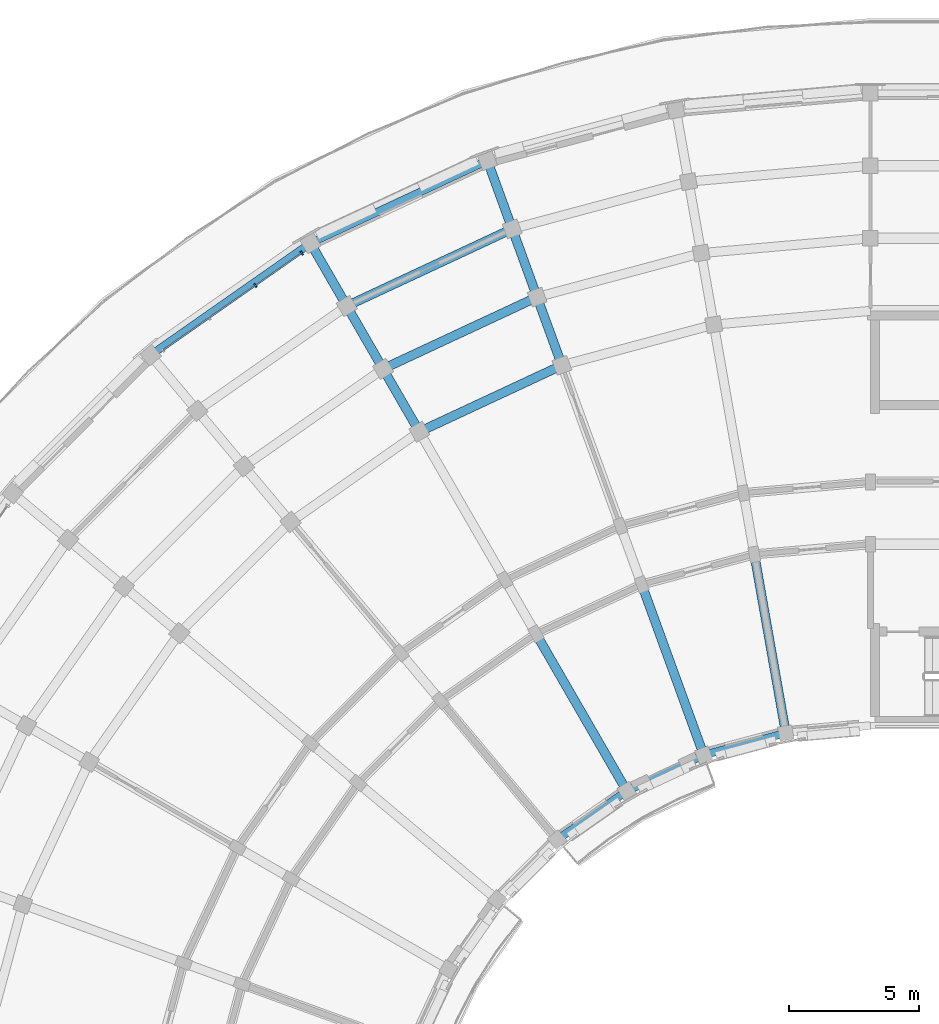
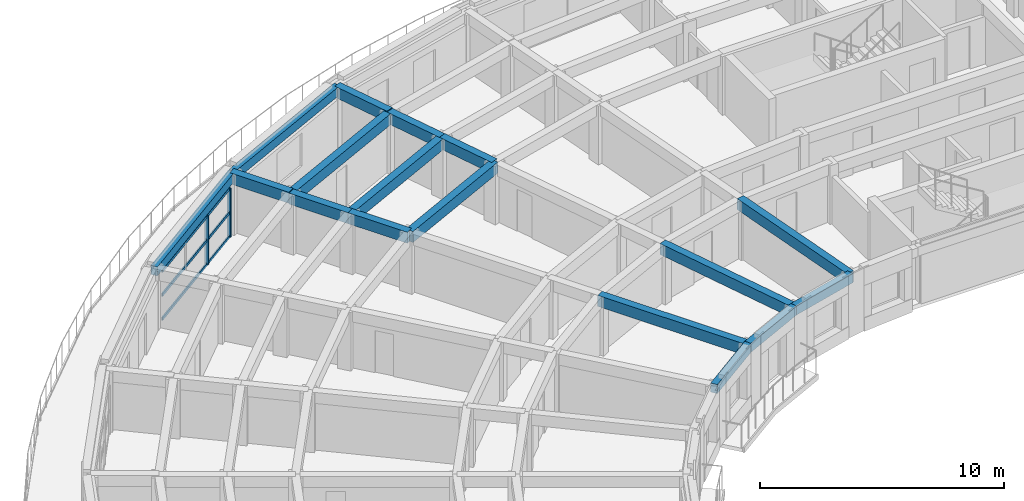
# One storey, part 5 of 32: 17 beams, 5 members, 1 element without a shape of its own.
"""IFC4 building model written with IfcOpenShell, lengths in metres."""

from ifc_helpers import new_model, si_unit, direction, frame, origin, origin_2d, place, context, subcontext, project, spatial, rectangle, extrude, material, material_profile, profile_set, type_object, element, aggregate, save


model = new_model("IFC4")

# Units and contexts
model_context = context("Model", 3, precision=1e-05, world=origin(), true_north=direction((0.0, 1.0)))
body_context = subcontext(model_context, "Body", "Model", "MODEL_VIEW")
ifc_project = project(units=[si_unit("LENGTHUNIT", "METRE"), si_unit("AREAUNIT", "SQUARE_METRE"), si_unit("VOLUMEUNIT", "CUBIC_METRE"), si_unit("PLANEANGLEUNIT", "RADIAN"), si_unit("MASSUNIT", "GRAM", prefix="KILO")], contexts=[model_context])

# Site, building, storey
site_placement = place(None, origin())
site = spatial("IfcSite", under=ifc_project, at=site_placement, CompositionType="ELEMENT")
building_placement = place(site_placement, origin())
building = spatial("IfcBuilding", under=site, at=building_placement, Name="Kiranvali Square Residences", CompositionType="ELEMENT")
storey_placement = place(building_placement, frame((0.0, 0.0, 40.199951171875)))
storey = spatial("IfcBuildingStorey", under=building, at=storey_placement, Name="L12", CompositionType="ELEMENT", Elevation=40.199951171875)

# Beams
ifc_material_1 = material(Name="Concrete M40 (40 MPa)", Category="concrete")
ifc_material_profile_1 = material_profile(ifc_material_1, rectangle(XDim=0.35009765625, YDim=0.550048828125, at=origin_2d()), Name="RC 350x550")
ifc_profile_set_1 = profile_set([ifc_material_profile_1], Name="Concrete M40 (40 MPa)")
beam_type_1 = type_object("IfcBeamType", Name="BM-M40-350x550", PredefinedType="BEAM", material=ifc_profile_set_1)
beam_1_placement = place(storey_placement, frame((36.297607421875, 120.501220703125, 2.655029296875), z_axis=(-0.906312656069, -0.42260781991, 0.0), x_axis=(0.42260781991, -0.906312656069, 0.0)))
element("IfcBeam", 1, at=beam_1_placement, inside=storey, type_object=beam_type_1, Name="L12 beam BM-A-L12-C02-R3", PredefinedType="BEAM", context=body_context, shape_type="SweptSolid", body=[
    extrude(rectangle(XDim=0.35009765625, YDim=0.550048828125, at=origin_2d()), origin(), (0.0, 0.0, 1.0), 6.06591796875),
])
beam_2_placement = place(storey_placement, frame((35.340087890625, 123.13232421875, 2.655029296875), z_axis=(-0.906318225223, -0.422595876255, 0.0), x_axis=(0.422595876255, -0.906318225223, 0.0)))
element("IfcBeam", 2, at=beam_2_placement, inside=storey, type_object=beam_type_1, Name="L12 beam BM-A-L12-C02-R4", PredefinedType="BEAM", context=body_context, shape_type="SweptSolid", body=[
    extrude(rectangle(XDim=0.35009765625, YDim=0.550048828125, at=origin_2d()), origin(), (0.0, 0.0, 1.0), 6.55419921875),
])
beam_3_placement = place(storey_placement, frame((34.38232421875, 125.763671875, 2.655029296875), z_axis=(-0.906297360311, -0.422640621205, 0.0), x_axis=(0.422640621205, -0.906297360311, 0.0)))
element("IfcBeam", 3, at=beam_3_placement, inside=storey, type_object=beam_type_1, Name="L12 beam BM-A-L12-C02-R5", PredefinedType="BEAM", context=body_context, shape_type="SweptSolid", body=[
    extrude(rectangle(XDim=0.35009765625, YDim=0.550048828125, at=origin_2d()), origin(), (0.0, 0.0, 1.0), 7.042236328125),
])
beam_4_placement = place(storey_placement, frame((44.935302734375, 106.314453125, 2.655029296875), z_axis=(-0.173622177865, 0.984812337125, 0.0), x_axis=(-0.984812337125, -0.173622177865, 0.0)))
element("IfcBeam", 4, at=beam_4_placement, inside=storey, type_object=beam_type_1, Name="L12 beam BM-A-L12-RAD01-01", PredefinedType="BEAM", context=body_context, shape_type="SweptSolid", body=[
    extrude(rectangle(XDim=0.35009765625, YDim=0.550048828125, at=origin_2d()), origin(), (0.0, 0.0, 1.0), 6.999755859375),
])
beam_5_placement = place(storey_placement, frame((41.77001953125, 105.46630859375, 2.655029296875), z_axis=(-0.342006283793, 0.939697665127, 0.0), x_axis=(-0.939697665127, -0.342006283793, 0.0)))
element("IfcBeam", 5, at=beam_5_placement, inside=storey, type_object=beam_type_1, Name="L12 beam BM-A-L12-RAD02-01", PredefinedType="BEAM", context=body_context, shape_type="SweptSolid", body=[
    extrude(rectangle(XDim=0.35009765625, YDim=0.550048828125, at=origin_2d()), origin(), (0.0, 0.0, 1.0), 7.0),
])
beam_6_placement = place(storey_placement, frame((36.297607421875, 120.501220703125, 2.655029296875), z_axis=(-0.341981089711, 0.93970683422, 0.0), x_axis=(-0.93970683422, -0.341981089711, 0.0)))
element("IfcBeam", 6, at=beam_6_placement, inside=storey, type_object=beam_type_1, Name="L12 beam BM-A-L12-RAD02-34", PredefinedType="BEAM", context=body_context, shape_type="SweptSolid", body=[
    extrude(rectangle(XDim=0.35009765625, YDim=0.550048828125, at=origin_2d()), origin(), (0.0, 0.0, 1.0), 2.7998046875),
])
beam_7_placement = place(storey_placement, frame((35.340087890625, 123.13232421875, 2.655029296875), z_axis=(-0.342030060398, 0.939689011208, 0.0), x_axis=(-0.939689011208, -0.342030060398, 0.0)))
element("IfcBeam", 7, at=beam_7_placement, inside=storey, type_object=beam_type_1, Name="L12 beam BM-A-L12-RAD02-45", PredefinedType="BEAM", context=body_context, shape_type="SweptSolid", body=[
    extrude(rectangle(XDim=0.35009765625, YDim=0.550048828125, at=origin_2d()), origin(), (0.0, 0.0, 1.0), 2.80029296875),
])
beam_8_placement = place(storey_placement, frame((34.38232421875, 125.763671875, 2.695068359375), z_axis=(-0.341981089711, 0.93970683422, 0.0), x_axis=(-0.93970683422, -0.341981089711, 0.0)))
element("IfcBeam", 8, at=beam_8_placement, inside=storey, type_object=beam_type_1, Name="L12 beam BM-A-L12-RAD02-56", PredefinedType="BEAM", context=body_context, shape_type="SweptSolid", body=[
    extrude(rectangle(XDim=0.35009765625, YDim=0.550048828125, at=origin_2d()), origin(), (0.0, 0.0, 1.0), 2.7998046875),
])
beam_9_placement = place(storey_placement, frame((38.800048828125, 104.081298828125, 2.655029296875), z_axis=(-0.499995173006, 0.866028190633, 0.0), x_axis=(-0.866028190633, -0.499995173006, 0.0)))
element("IfcBeam", 9, at=beam_9_placement, inside=storey, type_object=beam_type_1, Name="L12 beam BM-A-L12-RAD03-01", PredefinedType="BEAM", context=body_context, shape_type="SweptSolid", body=[
    extrude(rectangle(XDim=0.35009765625, YDim=0.550048828125, at=origin_2d()), origin(), (0.0, 0.0, 1.0), 7.0),
])
beam_10_placement = place(storey_placement, frame((30.800048828125, 117.937744140625, 2.655029296875), z_axis=(-0.500049511043, 0.865996816683, 0.0), x_axis=(-0.865996816683, -0.500049511043, 0.0)))
element("IfcBeam", 10, at=beam_10_placement, inside=storey, type_object=beam_type_1, Name="L12 beam BM-A-L12-RAD03-34", PredefinedType="BEAM", context=body_context, shape_type="SweptSolid", body=[
    extrude(rectangle(XDim=0.35009765625, YDim=0.550048828125, at=origin_2d()), origin(), (0.0, 0.0, 1.0), 2.800048828125),
])
beam_11_placement = place(storey_placement, frame((29.39990234375, 120.362548828125, 2.655029296875), z_axis=(-0.49998411664, 0.866034573852, 0.0), x_axis=(-0.866034573852, -0.49998411664, 0.0)))
element("IfcBeam", 11, at=beam_11_placement, inside=storey, type_object=beam_type_1, Name="L12 beam BM-A-L12-RAD03-45", PredefinedType="BEAM", context=body_context, shape_type="SweptSolid", body=[
    extrude(rectangle(XDim=0.35009765625, YDim=0.550048828125, at=origin_2d()), origin(), (0.0, 0.0, 1.0), 2.7998046875),
])
beam_12_placement = place(storey_placement, frame((28.0, 122.787353515625, 2.695068359375), z_axis=(-0.49994636267, 0.866056369097, 0.0), x_axis=(-0.866056369097, -0.49994636267, 0.0)))
element("IfcBeam", 12, at=beam_12_placement, inside=storey, type_object=beam_type_1, Name="L12 beam BM-A-L12-RAD03-56", PredefinedType="BEAM", context=body_context, shape_type="SweptSolid", body=[
    extrude(rectangle(XDim=0.35009765625, YDim=0.550048828125, at=origin_2d()), origin(), (0.0, 0.0, 1.0), 2.800048828125),
])

# Curtain wall, members
ifc_material_2 = material(Name="Anodised bronze aluminium framing", Category="aluminium")
curtain_wall_type = type_object("IfcCurtainWallType", Name="CW-RES-LOG", PredefinedType="USERDEFINED", material=ifc_material_2)
curtain_wall_placement = place(storey_placement, origin())
curtain_wall = element("IfcCurtainWall", 13, at=curtain_wall_placement, inside=storey, type_object=curtain_wall_type, Name="Block A L12 stepped curved terrace loggia 4", ObjectType="CURTAIN WALL", PredefinedType="USERDEFINED")
ifc_material_profile_2 = material_profile(ifc_material_2, rectangle(XDim=0.06494140625, YDim=0.159912109375, at=origin_2d()), Name="ALU 65x160")
ifc_profile_set_2 = profile_set([ifc_material_profile_2], Name="Anodised bronze aluminium framing")
member_type_1 = type_object("IfcMemberType", Name="CW-MUL-160", PredefinedType="MULLION", material=ifc_profile_set_2)
member_1_placement = place(storey_placement, frame((26.25927734375, 124.8271484375, 0.02001953125), z_axis=(0.0, 0.0, 1.0), x_axis=(-0.819152044289, -0.573576436351, 0.0)))
member_1 = element("IfcMember", 14, at=member_1_placement, type_object=member_type_1, Name="CW-A-L12-TER-03 vertical mullion 1", PredefinedType="MULLION", context=body_context, shape_type="SweptSolid", body=[
    extrude(rectangle(XDim=0.06494140625, YDim=0.159912109375, at=origin_2d()), origin(), (0.0, 0.0, 1.0), 2.43994140625),
])
member_2_placement = place(storey_placement, frame((24.47607421875, 123.57861328125, 0.02001953125), z_axis=(0.0, 0.0, 1.0), x_axis=(-0.819152044289, -0.573576436351, 0.0)))
member_2 = element("IfcMember", 15, at=member_2_placement, type_object=member_type_1, Name="CW-A-L12-TER-03 vertical mullion 2", PredefinedType="MULLION", context=body_context, shape_type="SweptSolid", body=[
    extrude(rectangle(XDim=0.06494140625, YDim=0.159912109375, at=origin_2d()), origin(), (0.0, 0.0, 1.0), 2.43994140625),
])
ifc_material_profile_3 = material_profile(ifc_material_2, rectangle(XDim=0.06494140625, YDim=0.139892578125, at=origin_2d()), Name="ALU 65x140")
ifc_profile_set_3 = profile_set([ifc_material_profile_3], Name="Anodised bronze aluminium framing")
member_type_2 = type_object("IfcMemberType", Name="CW-TRN-140", PredefinedType="MULLION", material=ifc_profile_set_3)
member_3_placement = place(storey_placement, frame((26.2509765625, 124.821533203125, 0.0400390625), z_axis=(-0.819145582246, -0.573585664994, 0.0), x_axis=(0.573585664994, -0.819145582246, 0.0)))
member_3 = element("IfcMember", 16, at=member_3_placement, type_object=member_type_2, Name="CW-A-L12-TER-03 horizontal transom 1", PredefinedType="MULLION", context=body_context, shape_type="SweptSolid", body=[
    extrude(rectangle(XDim=0.06494140625, YDim=0.139892578125, at=origin_2d()), origin(), (0.0, 0.0, 1.0), 6.51025390625),
])
member_4_placement = place(storey_placement, frame((26.2509765625, 124.821533203125, 1.239990234375), z_axis=(-0.819145582246, -0.573585664994, 0.0), x_axis=(0.573585664994, -0.819145582246, 0.0)))
member_4 = element("IfcMember", 17, at=member_4_placement, type_object=member_type_2, Name="CW-A-L12-TER-03 horizontal transom 2", PredefinedType="MULLION", context=body_context, shape_type="SweptSolid", body=[
    extrude(rectangle(XDim=0.06494140625, YDim=0.139892578125, at=origin_2d()), origin(), (0.0, 0.0, 1.0), 6.51025390625),
])
member_5_placement = place(storey_placement, frame((26.2509765625, 124.821533203125, 2.43994140625), z_axis=(-0.819145582246, -0.573585664994, 0.0), x_axis=(0.573585664994, -0.819145582246, 0.0)))
member_5 = element("IfcMember", 18, at=member_5_placement, type_object=member_type_2, Name="CW-A-L12-TER-03 horizontal transom 3", PredefinedType="MULLION", context=body_context, shape_type="SweptSolid", body=[
    extrude(rectangle(XDim=0.06494140625, YDim=0.139892578125, at=origin_2d()), origin(), (0.0, 0.0, 1.0), 6.51025390625),
])
aggregate(curtain_wall, [member_1, member_2, member_3, member_4, member_5])

# Beams
ifc_material_profile_4 = material_profile(ifc_material_1, rectangle(XDim=0.300048828125, YDim=0.449951171875, at=origin_2d()), Name="RC 300x450")
ifc_profile_set_4 = profile_set([ifc_material_profile_4], Name="Concrete M40 (40 MPa)")
beam_type_2 = type_object("IfcBeamType", Name="SPN-M40-300x450", PredefinedType="SPANDREL", material=ifc_profile_set_4)
beam_13_placement = place(storey_placement, frame((44.935302734375, 106.314453125, 2.705078125), z_axis=(-0.965925105099, -0.258821736607, 0.0), x_axis=(0.258821736607, -0.965925105099, 0.0)))
element("IfcBeam", 19, at=beam_13_placement, inside=storey, type_object=beam_type_2, Name="L12 beam BM-A-L12-C01-R0", PredefinedType="SPANDREL", context=body_context, shape_type="SweptSolid", body=[
    extrude(rectangle(XDim=0.300048828125, YDim=0.449951171875, at=origin_2d()), origin(), (0.0, 0.0, 1.0), 3.27685546875),
])
beam_14_placement = place(storey_placement, frame((41.77001953125, 105.46630859375, 2.705078125), z_axis=(-0.90629730464, -0.422640740585, 0.0), x_axis=(0.422640740585, -0.90629730464, 0.0)))
element("IfcBeam", 20, at=beam_14_placement, inside=storey, type_object=beam_type_2, Name="L12 beam BM-A-L12-C02-R0", PredefinedType="SPANDREL", context=body_context, shape_type="SweptSolid", body=[
    extrude(rectangle(XDim=0.300048828125, YDim=0.449951171875, at=origin_2d()), origin(), (0.0, 0.0, 1.0), 3.277099609375),
])
beam_15_placement = place(storey_placement, frame((33.4248046875, 128.394775390625, 2.7451171875), z_axis=(-0.90630982703, -0.422613886933, 0.0), x_axis=(0.422613886933, -0.90630982703, 0.0)))
element("IfcBeam", 21, at=beam_15_placement, inside=storey, type_object=beam_type_2, Name="L12 beam BM-A-L12-C02-R6", PredefinedType="SPANDREL", context=body_context, shape_type="SweptSolid", body=[
    extrude(rectangle(XDim=0.300048828125, YDim=0.449951171875, at=origin_2d()), origin(), (0.0, 0.0, 1.0), 7.5302734375),
])
beam_16_placement = place(storey_placement, frame((38.800048828125, 104.081298828125, 2.705078125), z_axis=(-0.81916891812, -0.573552337269, 0.0), x_axis=(0.573552337269, -0.81916891812, 0.0)))
element("IfcBeam", 22, at=beam_16_placement, inside=storey, type_object=beam_type_2, Name="L12 beam BM-A-L12-C03-R0", PredefinedType="SPANDREL", context=body_context, shape_type="SweptSolid", body=[
    extrude(rectangle(XDim=0.300048828125, YDim=0.449951171875, at=origin_2d()), origin(), (0.0, 0.0, 1.0), 3.277099609375),
])
beam_17_placement = place(storey_placement, frame((26.60009765625, 125.21240234375, 2.7451171875), z_axis=(-0.819143569597, -0.573588539275, 0.0), x_axis=(0.573588539275, -0.819143569597, 0.0)))
element("IfcBeam", 23, at=beam_17_placement, inside=storey, type_object=beam_type_2, Name="L12 beam BM-A-L12-C03-R6", PredefinedType="SPANDREL", context=body_context, shape_type="SweptSolid", body=[
    extrude(rectangle(XDim=0.300048828125, YDim=0.449951171875, at=origin_2d()), origin(), (0.0, 0.0, 1.0), 7.5302734375),
])

save(model, "model.ifc")
